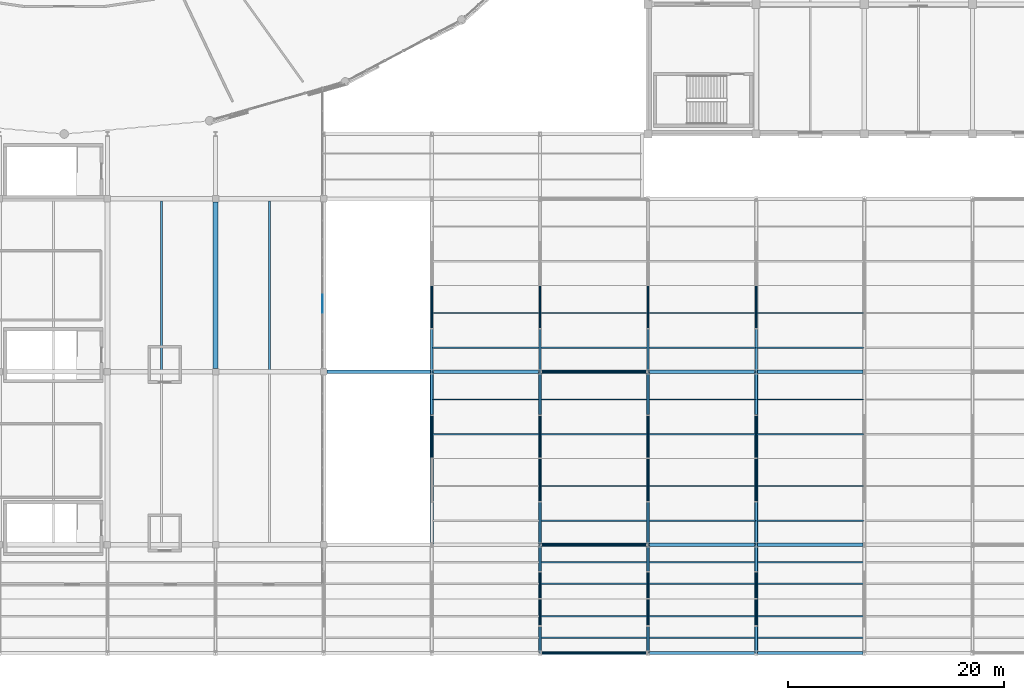
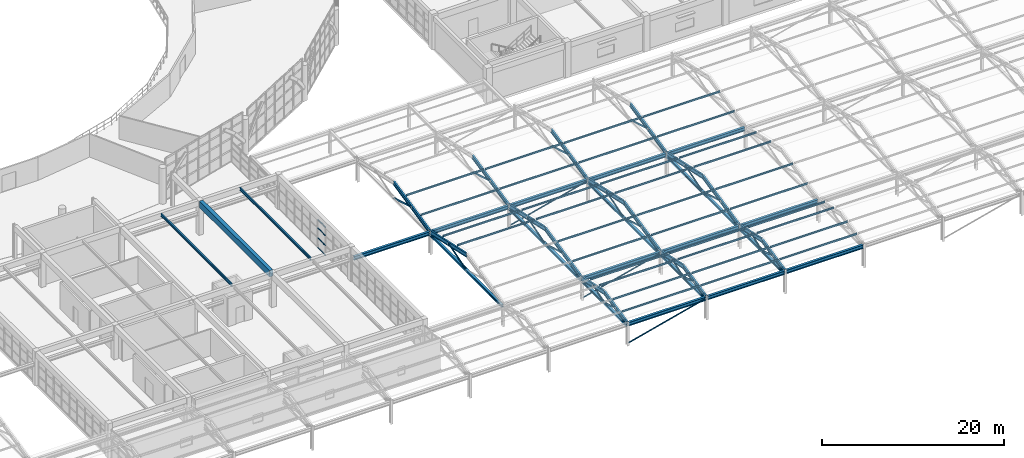
# One storey, part 27 of 109: 65 members, 31 beams, 1 element without a shape of its own.
"""IFC4 building model written with IfcOpenShell, lengths in metres."""

from ifc_helpers import new_model, si_unit, direction, frame, origin, origin_2d, place, context, subcontext, project, spatial, rectangle, hollow_rectangle, hollow_circle, i_section, extrude, material, layer, layer_set, material_profile, profile_set, type_object, element, aggregate, save


model = new_model("IFC4")

# Units and contexts
model_context = context("Model", 3, precision=1e-05, world=origin(), true_north=direction((0.0, 1.0)))
body_context = subcontext(model_context, "Body", "Model", "MODEL_VIEW")
ifc_project = project(units=[si_unit("LENGTHUNIT", "METRE"), si_unit("AREAUNIT", "SQUARE_METRE"), si_unit("VOLUMEUNIT", "CUBIC_METRE"), si_unit("PLANEANGLEUNIT", "RADIAN"), si_unit("MASSUNIT", "GRAM", prefix="KILO")], contexts=[model_context])

# Site, building, storey
site_placement = place(None, origin())
site = spatial("IfcSite", under=ifc_project, at=site_placement, CompositionType="ELEMENT")
building_placement = place(site_placement, origin())
building = spatial("IfcBuilding", under=site, at=building_placement, Name="Kivolera Central Railway Station", CompositionType="ELEMENT")
storey_placement = place(building_placement, frame((0.0, 0.0, 9.60009765625)))
storey = spatial("IfcBuildingStorey", under=building, at=storey_placement, Name="L02", CompositionType="ELEMENT", Elevation=9.60009765625)

# Beams
ifc_material_1 = material(Name="Steel S355", Category="steel")
ifc_material_profile_1 = material_profile(ifc_material_1, i_section(OverallWidth=0.169921875, OverallDepth=0.360107421875, WebThickness=0.008056640625, FlangeThickness=0.0126953125, FilletRadius=0.01806640625, at=origin_2d()), Name="IPE 360")
ifc_profile_set_1 = profile_set([ifc_material_profile_1], Name="Steel S355")
beam_type_1 = type_object("IfcBeamType", Name="BM-JST-IPE360", PredefinedType="JOIST", material=ifc_profile_set_1)
for number, where, z_axis, x_axis, name in (
    (1, (73.0, 32.19189453125, 4.407958984375), (0.0, 1.0, 0.0), (-1.0, 0.0, 0.0), "L02 Over-Track Bridge Joist 7:C-D"),
    (2, (83.0, 32.19189453125, 4.407958984375), (0.0, 1.0, 0.0), (-1.0, 0.0, 0.0), "L02 Over-Track Bridge Joist 8:C-D"),
):
    element("IfcBeam", number, at=place(storey_placement, frame(where, z_axis=z_axis, x_axis=x_axis)), inside=storey, type_object=beam_type_1, Name=name, PredefinedType="JOIST", context=body_context, shape_type="SweptSolid", body=[
        extrude(i_section(OverallWidth=0.169921875, OverallDepth=0.360107421875, WebThickness=0.008056640625, FlangeThickness=0.0126953125, FilletRadius=0.01806640625, at=origin_2d()), origin(), (0.0, 0.0, 1.0), 15.6162109375),
    ])
ifc_material_2 = material(Name="Concrete C40/50", Category="concrete")
ifc_material_profile_2 = material_profile(ifc_material_2, rectangle(XDim=0.449951171875, YDim=0.85009765625, at=origin_2d()), Name="RC 450x850")
ifc_profile_set_2 = profile_set([ifc_material_profile_2], Name="Concrete C40/50")
beam_type_2 = type_object("IfcBeamType", Name="BM-RC-450x850", PredefinedType="BEAM", material=ifc_profile_set_2)
beam_1_placement = place(storey_placement, frame((78.0, 32.287109375, 4.1748046875), z_axis=(0.0, 1.0, 0.0), x_axis=(-1.0, 0.0, 0.0)))
element("IfcBeam", 3, at=beam_1_placement, inside=storey, type_object=beam_type_2, Name="L02 Over-Track Concourse Bridge Girder 8:C-D", PredefinedType="BEAM", context=body_context, shape_type="SweptSolid", body=[
    extrude(rectangle(XDim=0.449951171875, YDim=0.85009765625, at=origin_2d()), origin(), (0.0, 0.0, 1.0), 15.42578125),
])
ifc_material_profile_3 = material_profile(ifc_material_1, i_section(OverallWidth=0.300048828125, OverallDepth=0.489990234375, WebThickness=0.011962890625, FlangeThickness=0.02294921875, FilletRadius=0.027099609375, at=origin_2d()), Name="HEA 500")
ifc_profile_set_3 = profile_set([ifc_material_profile_3], Name="Steel S355")
beam_type_3 = type_object("IfcBeamType", Name="BM-SHD-HEA500", PredefinedType="BEAM", material=ifc_profile_set_3)
beam_2_placement = place(storey_placement, frame((88.2919921875, 32.0, 2.81982421875), z_axis=(1.0, 0.0, 0.0), x_axis=(0.0, 1.0, 0.0)))
element("IfcBeam", 4, at=beam_2_placement, inside=storey, type_object=beam_type_3, Name="Train Shed Eave Girder C:9-10", PredefinedType="BEAM", context=body_context, shape_type="SweptSolid", body=[
    extrude(i_section(OverallWidth=0.300048828125, OverallDepth=0.489990234375, WebThickness=0.011962890625, FlangeThickness=0.02294921875, FilletRadius=0.027099609375, at=origin_2d()), origin(), (0.0, 0.0, 1.0), 9.571044921875),
])
for number, where, z_axis, x_axis, name in (
    (5, (98.136962890625, 32.0, 2.81982421875), (1.0, 0.0, 0.0), (0.0, 1.0, 0.0), "Train Shed Eave Girder C:10-11"),
    (6, (108.136962890625, 6.0, 2.81982421875), (1.0, 0.0, 0.0), (0.0, 1.0, 0.0), "Train Shed Eave Girder A:11-12"),
    (7, (108.136962890625, 16.0, 2.81982421875), (1.0, 0.0, 0.0), (0.0, 1.0, 0.0), "Train Shed Eave Girder B:11-12"),
    (8, (108.136962890625, 32.0, 2.81982421875), (1.0, 0.0, 0.0), (0.0, 1.0, 0.0), "Train Shed Eave Girder C:11-12"),
    (9, (118.136962890625, 6.0, 2.81982421875), (1.0, 0.0, 0.0), (0.0, 1.0, 0.0), "Train Shed Eave Girder A:12-13"),
    (10, (118.136962890625, 16.0, 2.81982421875), (1.0, 0.0, 0.0), (0.0, 1.0, 0.0), "Train Shed Eave Girder B:12-13"),
    (11, (118.136962890625, 32.0, 2.81982421875), (1.0, 0.0, 0.0), (0.0, 1.0, 0.0), "Train Shed Eave Girder C:12-13"),
    (12, (128.136962890625, 6.0, 2.81982421875), (1.0, 0.0, 0.0), (0.0, 1.0, 0.0), "Train Shed Eave Girder A:13-14"),
    (13, (128.136962890625, 16.0, 2.81982421875), (1.0, 0.0, 0.0), (0.0, 1.0, 0.0), "Train Shed Eave Girder B:13-14"),
    (14, (128.136962890625, 32.0, 2.81982421875), (1.0, 0.0, 0.0), (0.0, 1.0, 0.0), "Train Shed Eave Girder C:13-14"),
):
    element("IfcBeam", number, at=place(storey_placement, frame(where, z_axis=z_axis, x_axis=x_axis)), inside=storey, type_object=beam_type_3, Name=name, PredefinedType="BEAM", context=body_context, shape_type="SweptSolid", body=[
        extrude(i_section(OverallWidth=0.300048828125, OverallDepth=0.489990234375, WebThickness=0.011962890625, FlangeThickness=0.02294921875, FilletRadius=0.027099609375, at=origin_2d()), origin(), (0.0, 0.0, 1.0), 9.72607421875),
    ])
ifc_material_profile_4 = material_profile(ifc_material_1, i_section(OverallWidth=0.209228515625, OverallDepth=0.533203125, WebThickness=0.010009765625, FlangeThickness=0.015625, FilletRadius=0.0126953125, at=origin_2d()), Name="UB 533x210x92")
ifc_profile_set_4 = profile_set([ifc_material_profile_4], Name="Steel S355")
beam_type_4 = type_object("IfcBeamType", Name="BM-SHD-UB533", PredefinedType="BEAM", material=ifc_profile_set_4)
for number, where, z_axis, x_axis, name in (
    (15, (98.0, 24.0, 4.684814453125), (0.0, 0.97664421653, -0.214862919829), (-1.0, 0.0, 0.0), "Train Shed Roof Truss Top Rafter BC-10N"),
    (16, (98.0, 32.0, 2.9248046875), (0.0, 0.97664421653, 0.214862919829), (-1.0, 0.0, 0.0), "Train Shed Roof Truss Top Rafter CD-10S"),
):
    element("IfcBeam", number, at=place(storey_placement, frame(where, z_axis=z_axis, x_axis=x_axis)), inside=storey, type_object=beam_type_4, Name=name, PredefinedType="BEAM", context=body_context, shape_type="SweptSolid", body=[
        extrude(i_section(OverallWidth=0.209228515625, OverallDepth=0.533203125, WebThickness=0.010009765625, FlangeThickness=0.015625, FilletRadius=0.0126953125, at=origin_2d()), origin(), (0.0, 0.0, 1.0), 8.19140625),
    ])
for number, where, z_axis, x_axis, name in (
    (17, (108.0, 6.0, 2.9248046875), (0.0, 0.976640463768, 0.214879977038), (-1.0, 0.0, 0.0), "Train Shed Roof Truss Top Rafter AB-11S"),
    (18, (108.0, 11.0, 4.02490234375), (0.0, 0.976640463768, -0.214879977038), (-1.0, 0.0, 0.0), "Train Shed Roof Truss Top Rafter AB-11N"),
):
    element("IfcBeam", number, at=place(storey_placement, frame(where, z_axis=z_axis, x_axis=x_axis)), inside=storey, type_object=beam_type_4, Name=name, PredefinedType="BEAM", context=body_context, shape_type="SweptSolid", body=[
        extrude(i_section(OverallWidth=0.209228515625, OverallDepth=0.533203125, WebThickness=0.010009765625, FlangeThickness=0.015625, FilletRadius=0.0126953125, at=origin_2d()), origin(), (0.0, 0.0, 1.0), 5.11962890625),
    ])
for number, where, z_axis, x_axis, name in (
    (19, (108.0, 16.0, 2.9248046875), (0.0, 0.97664421653, 0.214862919829), (-1.0, 0.0, 0.0), "Train Shed Roof Truss Top Rafter BC-11S"),
    (20, (108.0, 24.0, 4.684814453125), (0.0, 0.97664421653, -0.214862919829), (-1.0, 0.0, 0.0), "Train Shed Roof Truss Top Rafter BC-11N"),
    (21, (108.0, 32.0, 2.9248046875), (0.0, 0.97664421653, 0.214862919829), (-1.0, 0.0, 0.0), "Train Shed Roof Truss Top Rafter CD-11S"),
):
    element("IfcBeam", number, at=place(storey_placement, frame(where, z_axis=z_axis, x_axis=x_axis)), inside=storey, type_object=beam_type_4, Name=name, PredefinedType="BEAM", context=body_context, shape_type="SweptSolid", body=[
        extrude(i_section(OverallWidth=0.209228515625, OverallDepth=0.533203125, WebThickness=0.010009765625, FlangeThickness=0.015625, FilletRadius=0.0126953125, at=origin_2d()), origin(), (0.0, 0.0, 1.0), 8.19140625),
    ])
for number, where, z_axis, x_axis, name in (
    (22, (118.0, 6.0, 2.9248046875), (0.0, 0.976640463768, 0.214879977038), (-1.0, 0.0, 0.0), "Train Shed Roof Truss Top Rafter AB-12S"),
    (23, (118.0, 11.0, 4.02490234375), (0.0, 0.976640463768, -0.214879977038), (-1.0, 0.0, 0.0), "Train Shed Roof Truss Top Rafter AB-12N"),
):
    element("IfcBeam", number, at=place(storey_placement, frame(where, z_axis=z_axis, x_axis=x_axis)), inside=storey, type_object=beam_type_4, Name=name, PredefinedType="BEAM", context=body_context, shape_type="SweptSolid", body=[
        extrude(i_section(OverallWidth=0.209228515625, OverallDepth=0.533203125, WebThickness=0.010009765625, FlangeThickness=0.015625, FilletRadius=0.0126953125, at=origin_2d()), origin(), (0.0, 0.0, 1.0), 5.11962890625),
    ])
for number, where, z_axis, x_axis, name in (
    (24, (118.0, 16.0, 2.9248046875), (0.0, 0.97664421653, 0.214862919829), (-1.0, 0.0, 0.0), "Train Shed Roof Truss Top Rafter BC-12S"),
    (25, (118.0, 24.0, 4.684814453125), (0.0, 0.97664421653, -0.214862919829), (-1.0, 0.0, 0.0), "Train Shed Roof Truss Top Rafter BC-12N"),
    (26, (118.0, 32.0, 2.9248046875), (0.0, 0.97664421653, 0.214862919829), (-1.0, 0.0, 0.0), "Train Shed Roof Truss Top Rafter CD-12S"),
):
    element("IfcBeam", number, at=place(storey_placement, frame(where, z_axis=z_axis, x_axis=x_axis)), inside=storey, type_object=beam_type_4, Name=name, PredefinedType="BEAM", context=body_context, shape_type="SweptSolid", body=[
        extrude(i_section(OverallWidth=0.209228515625, OverallDepth=0.533203125, WebThickness=0.010009765625, FlangeThickness=0.015625, FilletRadius=0.0126953125, at=origin_2d()), origin(), (0.0, 0.0, 1.0), 8.19140625),
    ])
for number, where, z_axis, x_axis, name in (
    (27, (128.0, 6.0, 2.9248046875), (0.0, 0.976640463768, 0.214879977038), (-1.0, 0.0, 0.0), "Train Shed Roof Truss Top Rafter AB-13S"),
    (28, (128.0, 11.0, 4.02490234375), (0.0, 0.976640463768, -0.214879977038), (-1.0, 0.0, 0.0), "Train Shed Roof Truss Top Rafter AB-13N"),
):
    element("IfcBeam", number, at=place(storey_placement, frame(where, z_axis=z_axis, x_axis=x_axis)), inside=storey, type_object=beam_type_4, Name=name, PredefinedType="BEAM", context=body_context, shape_type="SweptSolid", body=[
        extrude(i_section(OverallWidth=0.209228515625, OverallDepth=0.533203125, WebThickness=0.010009765625, FlangeThickness=0.015625, FilletRadius=0.0126953125, at=origin_2d()), origin(), (0.0, 0.0, 1.0), 5.11962890625),
    ])
for number, where, z_axis, x_axis, name in (
    (29, (128.0, 16.0, 2.9248046875), (0.0, 0.97664421653, 0.214862919829), (-1.0, 0.0, 0.0), "Train Shed Roof Truss Top Rafter BC-13S"),
    (30, (128.0, 24.0, 4.684814453125), (0.0, 0.97664421653, -0.214862919829), (-1.0, 0.0, 0.0), "Train Shed Roof Truss Top Rafter BC-13N"),
    (31, (128.0, 32.0, 2.9248046875), (0.0, 0.97664421653, 0.214862919829), (-1.0, 0.0, 0.0), "Train Shed Roof Truss Top Rafter CD-13S"),
):
    element("IfcBeam", number, at=place(storey_placement, frame(where, z_axis=z_axis, x_axis=x_axis)), inside=storey, type_object=beam_type_4, Name=name, PredefinedType="BEAM", context=body_context, shape_type="SweptSolid", body=[
        extrude(i_section(OverallWidth=0.209228515625, OverallDepth=0.533203125, WebThickness=0.010009765625, FlangeThickness=0.015625, FilletRadius=0.0126953125, at=origin_2d()), origin(), (0.0, 0.0, 1.0), 8.19140625),
    ])

# Curtain wall, members
ifc_material_3 = material(Name="Anodised aluminium", Category="aluminium")
ifc_layer = layer(ifc_material_3, 0.179931640625, Name="Anodised aluminium")
ifc_layer_set = layer_set([ifc_layer], Name="Anodised aluminium")
curtain_wall_type = type_object("IfcCurtainWallType", Name="CW-SYS-18", PredefinedType="NOTDEFINED", material=ifc_layer_set)
curtain_wall_placement = place(storey_placement, origin())
curtain_wall = element("IfcCurtainWall", 32, at=curtain_wall_placement, inside=storey, type_object=curtain_wall_type, Name="L02 Curtain Wall CW-L02-BRGE-3", PredefinedType="NOTDEFINED")
ifc_material_profile_5 = material_profile(ifc_material_3, rectangle(XDim=0.06005859375, YDim=0.1201171875, at=origin_2d()), Name="ALU TRAN 60x120")
ifc_profile_set_5 = profile_set([ifc_material_profile_5], Name="Anodised aluminium")
member_type_1 = type_object("IfcMemberType", Name="CWM-TRN-2", PredefinedType="USERDEFINED", material=ifc_profile_set_5)
member_1_placement = place(storey_placement, frame((87.8798828125, 39.115478515625, 0.02978515625), z_axis=(0.0, -1.0, 0.0), x_axis=(1.0, 0.0, 0.0)))
member_1 = element("IfcMember", 33, at=member_1_placement, type_object=member_type_1, Name="CW-18 transom 6.1", ObjectType="TRANSOM", PredefinedType="USERDEFINED", context=body_context, shape_type="SweptSolid", body=[
    extrude(rectangle(XDim=0.06005859375, YDim=0.1201171875, at=origin_2d()), origin(), (0.0, 0.0, 1.0), 1.64892578125),
])
member_2_placement = place(storey_placement, frame((87.8798828125, 39.115478515625, 1.329833984375), z_axis=(0.0, -1.0, 0.0), x_axis=(1.0, 0.0, 0.0)))
member_2 = element("IfcMember", 34, at=member_2_placement, type_object=member_type_1, Name="CW-18 transom 6.2", ObjectType="TRANSOM", PredefinedType="USERDEFINED", context=body_context, shape_type="SweptSolid", body=[
    extrude(rectangle(XDim=0.06005859375, YDim=0.1201171875, at=origin_2d()), origin(), (0.0, 0.0, 1.0), 1.64892578125),
])
member_3_placement = place(storey_placement, frame((87.8798828125, 39.115478515625, 2.659912109375), z_axis=(0.0, -1.0, 0.0), x_axis=(1.0, 0.0, 0.0)))
member_3 = element("IfcMember", 35, at=member_3_placement, type_object=member_type_1, Name="CW-18 transom 6.3", ObjectType="TRANSOM", PredefinedType="USERDEFINED", context=body_context, shape_type="SweptSolid", body=[
    extrude(rectangle(XDim=0.06005859375, YDim=0.1201171875, at=origin_2d()), origin(), (0.0, 0.0, 1.0), 1.64892578125),
])
member_4_placement = place(storey_placement, frame((87.8798828125, 39.115478515625, 3.77001953125), z_axis=(0.0, -1.0, 0.0), x_axis=(1.0, 0.0, 0.0)))
member_4 = element("IfcMember", 36, at=member_4_placement, type_object=member_type_1, Name="CW-18 transom 6.4", ObjectType="TRANSOM", PredefinedType="USERDEFINED", context=body_context, shape_type="SweptSolid", body=[
    extrude(rectangle(XDim=0.06005859375, YDim=0.1201171875, at=origin_2d()), origin(), (0.0, 0.0, 1.0), 1.64892578125),
])
aggregate(curtain_wall, [member_1, member_2, member_3, member_4])

# Members
ifc_material_profile_6 = material_profile(ifc_material_1, hollow_circle(Radius=0.084228515625, WallThickness=0.008056640625, at=origin_2d()), Name="CHS 168.3x8")
ifc_profile_set_6 = profile_set([ifc_material_profile_6], Name="Steel S355")
member_type_2 = type_object("IfcMemberType", Name="MEM-BRC-CHS168", PredefinedType="BRACE", material=ifc_profile_set_6)
for number, where, z_axis, x_axis, name in (
    (37, (108.126953125, 6.0, 0.25), (0.96863991136, 0.0, 0.248468754818), (0.0, 1.0, 0.0), "Train Shed Longitudinal Portal Brace A:11-12"),
    (38, (108.126953125, 16.0, 0.25), (0.96863991136, 0.0, 0.248468754818), (0.0, 1.0, 0.0), "Train Shed Longitudinal Portal Brace B:11-12"),
    (39, (108.126953125, 32.0, 0.25), (0.96863991136, 0.0, 0.248468754818), (0.0, 1.0, 0.0), "Train Shed Longitudinal Portal Brace C:11-12"),
):
    element("IfcMember", number, at=place(storey_placement, frame(where, z_axis=z_axis, x_axis=x_axis)), inside=storey, type_object=member_type_2, Name=name, PredefinedType="BRACE", context=body_context, shape_type="SweptSolid", body=[
        extrude(hollow_circle(Radius=0.084228515625, WallThickness=0.008056640625, at=origin_2d()), origin(), (0.0, 0.0, 1.0), 10.0615234375),
    ])
ifc_material_profile_7 = material_profile(ifc_material_1, i_section(OverallWidth=0.300048828125, OverallDepth=0.300048828125, WebThickness=0.010986328125, FlangeThickness=0.01904296875, FilletRadius=0.027099609375, at=origin_2d()), Name="HEB 300")
ifc_profile_set_7 = profile_set([ifc_material_profile_7], Name="Steel S355")
member_type_3 = type_object("IfcMemberType", Name="MEM-CHD-HEB300", PredefinedType="CHORD", material=ifc_profile_set_7)
member_5_placement = place(storey_placement, frame((98.0, 16.080078125, 2.619873046875), z_axis=(0.0, 1.0, 0.0), x_axis=(-1.0, 0.0, 0.0)))
element("IfcMember", 40, at=member_5_placement, inside=storey, type_object=member_type_3, Name="Train Shed Roof Truss Bottom Tie Chord BC-10", PredefinedType="CHORD", context=body_context, shape_type="SweptSolid", body=[
    extrude(i_section(OverallWidth=0.300048828125, OverallDepth=0.300048828125, WebThickness=0.010986328125, FlangeThickness=0.01904296875, FilletRadius=0.027099609375, at=origin_2d()), origin(), (0.0, 0.0, 1.0), 15.83984375),
])
member_6_placement = place(storey_placement, frame((108.0, 6.080078125, 2.619873046875), z_axis=(0.0, 1.0, 0.0), x_axis=(-1.0, 0.0, 0.0)))
element("IfcMember", 41, at=member_6_placement, inside=storey, type_object=member_type_3, Name="Train Shed Roof Truss Bottom Tie Chord AB-11", PredefinedType="CHORD", context=body_context, shape_type="SweptSolid", body=[
    extrude(i_section(OverallWidth=0.300048828125, OverallDepth=0.300048828125, WebThickness=0.010986328125, FlangeThickness=0.01904296875, FilletRadius=0.027099609375, at=origin_2d()), origin(), (0.0, 0.0, 1.0), 9.83984375),
])
member_7_placement = place(storey_placement, frame((108.0, 16.080078125, 2.619873046875), z_axis=(0.0, 1.0, 0.0), x_axis=(-1.0, 0.0, 0.0)))
element("IfcMember", 42, at=member_7_placement, inside=storey, type_object=member_type_3, Name="Train Shed Roof Truss Bottom Tie Chord BC-11", PredefinedType="CHORD", context=body_context, shape_type="SweptSolid", body=[
    extrude(i_section(OverallWidth=0.300048828125, OverallDepth=0.300048828125, WebThickness=0.010986328125, FlangeThickness=0.01904296875, FilletRadius=0.027099609375, at=origin_2d()), origin(), (0.0, 0.0, 1.0), 15.83984375),
])
member_8_placement = place(storey_placement, frame((118.0, 6.080078125, 2.619873046875), z_axis=(0.0, 1.0, 0.0), x_axis=(-1.0, 0.0, 0.0)))
element("IfcMember", 43, at=member_8_placement, inside=storey, type_object=member_type_3, Name="Train Shed Roof Truss Bottom Tie Chord AB-12", PredefinedType="CHORD", context=body_context, shape_type="SweptSolid", body=[
    extrude(i_section(OverallWidth=0.300048828125, OverallDepth=0.300048828125, WebThickness=0.010986328125, FlangeThickness=0.01904296875, FilletRadius=0.027099609375, at=origin_2d()), origin(), (0.0, 0.0, 1.0), 9.83984375),
])
member_9_placement = place(storey_placement, frame((118.0, 16.080078125, 2.619873046875), z_axis=(0.0, 1.0, 0.0), x_axis=(-1.0, 0.0, 0.0)))
element("IfcMember", 44, at=member_9_placement, inside=storey, type_object=member_type_3, Name="Train Shed Roof Truss Bottom Tie Chord BC-12", PredefinedType="CHORD", context=body_context, shape_type="SweptSolid", body=[
    extrude(i_section(OverallWidth=0.300048828125, OverallDepth=0.300048828125, WebThickness=0.010986328125, FlangeThickness=0.01904296875, FilletRadius=0.027099609375, at=origin_2d()), origin(), (0.0, 0.0, 1.0), 15.83984375),
])
member_10_placement = place(storey_placement, frame((128.0, 6.080078125, 2.619873046875), z_axis=(0.0, 1.0, 0.0), x_axis=(-1.0, 0.0, 0.0)))
element("IfcMember", 45, at=member_10_placement, inside=storey, type_object=member_type_3, Name="Train Shed Roof Truss Bottom Tie Chord AB-13", PredefinedType="CHORD", context=body_context, shape_type="SweptSolid", body=[
    extrude(i_section(OverallWidth=0.300048828125, OverallDepth=0.300048828125, WebThickness=0.010986328125, FlangeThickness=0.01904296875, FilletRadius=0.027099609375, at=origin_2d()), origin(), (0.0, 0.0, 1.0), 9.83984375),
])
member_11_placement = place(storey_placement, frame((128.0, 16.080078125, 2.619873046875), z_axis=(0.0, 1.0, 0.0), x_axis=(-1.0, 0.0, 0.0)))
element("IfcMember", 46, at=member_11_placement, inside=storey, type_object=member_type_3, Name="Train Shed Roof Truss Bottom Tie Chord BC-13", PredefinedType="CHORD", context=body_context, shape_type="SweptSolid", body=[
    extrude(i_section(OverallWidth=0.300048828125, OverallDepth=0.300048828125, WebThickness=0.010986328125, FlangeThickness=0.01904296875, FilletRadius=0.027099609375, at=origin_2d()), origin(), (0.0, 0.0, 1.0), 15.83984375),
])
ifc_material_profile_8 = material_profile(ifc_material_1, i_section(OverallWidth=0.1201171875, OverallDepth=0.239990234375, WebThickness=0.006103515625, FlangeThickness=0.009765625, FilletRadius=0.014892578125, at=origin_2d()), Name="IPE 240")
ifc_profile_set_8 = profile_set([ifc_material_profile_8], Name="Steel S355")
member_type_4 = type_object("IfcMemberType", Name="MEM-PUR-IPE240", PredefinedType="PURLIN", material=ifc_profile_set_8)
for number, where, z_axis, x_axis, name in (
    (47, (98.080078125, 26.239990234375, 4.572021484375), (1.0, 0.0, 0.0), (0.0, 1.0, 0.0), "Train Shed Roof Purlin BC-10-N1"),
    (48, (98.080078125, 29.43994140625, 3.867919921875), (1.0, 0.0, 0.0), (0.0, 1.0, 0.0), "Train Shed Roof Purlin BC-10-N2"),
    (49, (98.080078125, 34.239990234375, 3.7978515625), (1.0, 0.0, 0.0), (0.0, 1.0, 0.0), "Train Shed Roof Purlin CD-10-S1"),
    (50, (98.080078125, 37.43994140625, 4.501953125), (1.0, 0.0, 0.0), (0.0, 1.0, 0.0), "Train Shed Roof Purlin CD-10-S2"),
    (51, (108.080078125, 7.39990234375, 3.61279296875), (1.0, 0.0, 0.0), (0.0, 1.0, 0.0), "Train Shed Roof Purlin AB-11-S1"),
    (52, (108.080078125, 12.39990234375, 4.096923828125), (1.0, 0.0, 0.0), (0.0, 1.0, 0.0), "Train Shed Roof Purlin AB-11-N1"),
    (53, (108.080078125, 9.39990234375, 4.052978515625), (1.0, 0.0, 0.0), (0.0, 1.0, 0.0), "Train Shed Roof Purlin AB-11-S2"),
    (54, (108.080078125, 14.39990234375, 3.656982421875), (1.0, 0.0, 0.0), (0.0, 1.0, 0.0), "Train Shed Roof Purlin AB-11-N2"),
    (55, (108.080078125, 18.239990234375, 3.7978515625), (1.0, 0.0, 0.0), (0.0, 1.0, 0.0), "Train Shed Roof Purlin BC-11-S1"),
    (56, (108.080078125, 26.239990234375, 4.572021484375), (1.0, 0.0, 0.0), (0.0, 1.0, 0.0), "Train Shed Roof Purlin BC-11-N1"),
    (57, (108.080078125, 21.43994140625, 4.501953125), (1.0, 0.0, 0.0), (0.0, 1.0, 0.0), "Train Shed Roof Purlin BC-11-S2"),
    (58, (108.080078125, 29.43994140625, 3.867919921875), (1.0, 0.0, 0.0), (0.0, 1.0, 0.0), "Train Shed Roof Purlin BC-11-N2"),
    (59, (108.080078125, 34.239990234375, 3.7978515625), (1.0, 0.0, 0.0), (0.0, 1.0, 0.0), "Train Shed Roof Purlin CD-11-S1"),
    (60, (108.080078125, 37.43994140625, 4.501953125), (1.0, 0.0, 0.0), (0.0, 1.0, 0.0), "Train Shed Roof Purlin CD-11-S2"),
    (61, (118.080078125, 7.39990234375, 3.61279296875), (1.0, 0.0, 0.0), (0.0, 1.0, 0.0), "Train Shed Roof Purlin AB-12-S1"),
    (62, (118.080078125, 12.39990234375, 4.096923828125), (1.0, 0.0, 0.0), (0.0, 1.0, 0.0), "Train Shed Roof Purlin AB-12-N1"),
    (63, (118.080078125, 9.39990234375, 4.052978515625), (1.0, 0.0, 0.0), (0.0, 1.0, 0.0), "Train Shed Roof Purlin AB-12-S2"),
    (64, (118.080078125, 14.39990234375, 3.656982421875), (1.0, 0.0, 0.0), (0.0, 1.0, 0.0), "Train Shed Roof Purlin AB-12-N2"),
    (65, (118.080078125, 18.239990234375, 3.7978515625), (1.0, 0.0, 0.0), (0.0, 1.0, 0.0), "Train Shed Roof Purlin BC-12-S1"),
    (66, (118.080078125, 26.239990234375, 4.572021484375), (1.0, 0.0, 0.0), (0.0, 1.0, 0.0), "Train Shed Roof Purlin BC-12-N1"),
    (67, (118.080078125, 21.43994140625, 4.501953125), (1.0, 0.0, 0.0), (0.0, 1.0, 0.0), "Train Shed Roof Purlin BC-12-S2"),
    (68, (118.080078125, 29.43994140625, 3.867919921875), (1.0, 0.0, 0.0), (0.0, 1.0, 0.0), "Train Shed Roof Purlin BC-12-N2"),
    (69, (118.080078125, 34.239990234375, 3.7978515625), (1.0, 0.0, 0.0), (0.0, 1.0, 0.0), "Train Shed Roof Purlin CD-12-S1"),
    (70, (118.080078125, 37.43994140625, 4.501953125), (1.0, 0.0, 0.0), (0.0, 1.0, 0.0), "Train Shed Roof Purlin CD-12-S2"),
    (71, (128.080078125, 7.39990234375, 3.61279296875), (1.0, 0.0, 0.0), (0.0, 1.0, 0.0), "Train Shed Roof Purlin AB-13-S1"),
    (72, (128.080078125, 12.39990234375, 4.096923828125), (1.0, 0.0, 0.0), (0.0, 1.0, 0.0), "Train Shed Roof Purlin AB-13-N1"),
    (73, (128.080078125, 9.39990234375, 4.052978515625), (1.0, 0.0, 0.0), (0.0, 1.0, 0.0), "Train Shed Roof Purlin AB-13-S2"),
    (74, (128.080078125, 14.39990234375, 3.656982421875), (1.0, 0.0, 0.0), (0.0, 1.0, 0.0), "Train Shed Roof Purlin AB-13-N2"),
    (75, (128.080078125, 18.239990234375, 3.7978515625), (1.0, 0.0, 0.0), (0.0, 1.0, 0.0), "Train Shed Roof Purlin BC-13-S1"),
    (76, (128.080078125, 26.239990234375, 4.572021484375), (1.0, 0.0, 0.0), (0.0, 1.0, 0.0), "Train Shed Roof Purlin BC-13-N1"),
    (77, (128.080078125, 21.43994140625, 4.501953125), (1.0, 0.0, 0.0), (0.0, 1.0, 0.0), "Train Shed Roof Purlin BC-13-S2"),
    (78, (128.080078125, 29.43994140625, 3.867919921875), (1.0, 0.0, 0.0), (0.0, 1.0, 0.0), "Train Shed Roof Purlin BC-13-N2"),
    (79, (128.080078125, 34.239990234375, 3.7978515625), (1.0, 0.0, 0.0), (0.0, 1.0, 0.0), "Train Shed Roof Purlin CD-13-S1"),
    (80, (128.080078125, 37.43994140625, 4.501953125), (1.0, 0.0, 0.0), (0.0, 1.0, 0.0), "Train Shed Roof Purlin CD-13-S2"),
):
    element("IfcMember", number, at=place(storey_placement, frame(where, z_axis=z_axis, x_axis=x_axis)), inside=storey, type_object=member_type_4, Name=name, PredefinedType="PURLIN", context=body_context, shape_type="SweptSolid", body=[
        extrude(i_section(OverallWidth=0.1201171875, OverallDepth=0.239990234375, WebThickness=0.006103515625, FlangeThickness=0.009765625, FilletRadius=0.014892578125, at=origin_2d()), origin(), (0.0, 0.0, 1.0), 9.83984375),
    ])
ifc_material_profile_9 = material_profile(ifc_material_1, hollow_rectangle(XDim=0.10009765625, YDim=0.199951171875, WallThickness=0.010009765625, at=origin_2d()), Name="RHS 200x100x10")
ifc_profile_set_9 = profile_set([ifc_material_profile_9], Name="Steel S355")
member_type_5 = type_object("IfcMemberType", Name="MEM-STR-RHS200", PredefinedType="STRUT", material=ifc_profile_set_9)
for number, where, z_axis, x_axis, name in (
    (81, (98.0, 24.0, 2.619873046875), (0.0, 0.958806377549, 0.284060434364), (-1.0, 0.0, 0.0), "Train Shed Truss Web Strut BC-10-2"),
    (82, (98.0, 40.0, 2.619873046875), (0.0, -0.958806377549, 0.284060434364), (1.0, 0.0, 0.0), "Train Shed Truss Web Strut CD-10-1"),
):
    element("IfcMember", number, at=place(storey_placement, frame(where, z_axis=z_axis, x_axis=x_axis)), inside=storey, type_object=member_type_5, Name=name, PredefinedType="STRUT", context=body_context, shape_type="SweptSolid", body=[
        extrude(hollow_rectangle(XDim=0.10009765625, YDim=0.199951171875, WallThickness=0.010009765625, at=origin_2d()), origin(), (0.0, 0.0, 1.0), 4.171875),
    ])
for number, where, z_axis, x_axis, name in (
    (83, (108.0, 11.0, 2.619873046875), (0.0, -0.946196747594, 0.323591895515), (1.0, 0.0, 0.0), "Train Shed Truss Web Strut AB-11-1"),
    (84, (108.0, 11.0, 2.619873046875), (0.0, 0.946196747594, 0.323591895515), (-1.0, 0.0, 0.0), "Train Shed Truss Web Strut AB-11-2"),
):
    element("IfcMember", number, at=place(storey_placement, frame(where, z_axis=z_axis, x_axis=x_axis)), inside=storey, type_object=member_type_5, Name=name, PredefinedType="STRUT", context=body_context, shape_type="SweptSolid", body=[
        extrude(hollow_rectangle(XDim=0.10009765625, YDim=0.199951171875, WallThickness=0.010009765625, at=origin_2d()), origin(), (0.0, 0.0, 1.0), 2.64208984375),
    ])
for number, where, z_axis, x_axis, name in (
    (85, (108.0, 24.0, 2.619873046875), (0.0, -0.958806377549, 0.284060434364), (1.0, 0.0, 0.0), "Train Shed Truss Web Strut BC-11-1"),
    (86, (108.0, 24.0, 2.619873046875), (0.0, 0.958806377549, 0.284060434364), (-1.0, 0.0, 0.0), "Train Shed Truss Web Strut BC-11-2"),
    (87, (108.0, 40.0, 2.619873046875), (0.0, -0.958806377549, 0.284060434364), (1.0, 0.0, 0.0), "Train Shed Truss Web Strut CD-11-1"),
):
    element("IfcMember", number, at=place(storey_placement, frame(where, z_axis=z_axis, x_axis=x_axis)), inside=storey, type_object=member_type_5, Name=name, PredefinedType="STRUT", context=body_context, shape_type="SweptSolid", body=[
        extrude(hollow_rectangle(XDim=0.10009765625, YDim=0.199951171875, WallThickness=0.010009765625, at=origin_2d()), origin(), (0.0, 0.0, 1.0), 4.171875),
    ])
for number, where, z_axis, x_axis, name in (
    (88, (118.0, 11.0, 2.619873046875), (0.0, -0.946196747594, 0.323591895515), (1.0, 0.0, 0.0), "Train Shed Truss Web Strut AB-12-1"),
    (89, (118.0, 11.0, 2.619873046875), (0.0, 0.946196747594, 0.323591895515), (-1.0, 0.0, 0.0), "Train Shed Truss Web Strut AB-12-2"),
):
    element("IfcMember", number, at=place(storey_placement, frame(where, z_axis=z_axis, x_axis=x_axis)), inside=storey, type_object=member_type_5, Name=name, PredefinedType="STRUT", context=body_context, shape_type="SweptSolid", body=[
        extrude(hollow_rectangle(XDim=0.10009765625, YDim=0.199951171875, WallThickness=0.010009765625, at=origin_2d()), origin(), (0.0, 0.0, 1.0), 2.64208984375),
    ])
for number, where, z_axis, x_axis, name in (
    (90, (118.0, 24.0, 2.619873046875), (0.0, -0.958806377549, 0.284060434364), (1.0, 0.0, 0.0), "Train Shed Truss Web Strut BC-12-1"),
    (91, (118.0, 24.0, 2.619873046875), (0.0, 0.958806377549, 0.284060434364), (-1.0, 0.0, 0.0), "Train Shed Truss Web Strut BC-12-2"),
    (92, (118.0, 40.0, 2.619873046875), (0.0, -0.958806377549, 0.284060434364), (1.0, 0.0, 0.0), "Train Shed Truss Web Strut CD-12-1"),
):
    element("IfcMember", number, at=place(storey_placement, frame(where, z_axis=z_axis, x_axis=x_axis)), inside=storey, type_object=member_type_5, Name=name, PredefinedType="STRUT", context=body_context, shape_type="SweptSolid", body=[
        extrude(hollow_rectangle(XDim=0.10009765625, YDim=0.199951171875, WallThickness=0.010009765625, at=origin_2d()), origin(), (0.0, 0.0, 1.0), 4.171875),
    ])
for number, where, z_axis, x_axis, name in (
    (93, (128.0, 11.0, 2.619873046875), (0.0, -0.946196747594, 0.323591895515), (1.0, 0.0, 0.0), "Train Shed Truss Web Strut AB-13-1"),
    (94, (128.0, 11.0, 2.619873046875), (0.0, 0.946196747594, 0.323591895515), (-1.0, 0.0, 0.0), "Train Shed Truss Web Strut AB-13-2"),
):
    element("IfcMember", number, at=place(storey_placement, frame(where, z_axis=z_axis, x_axis=x_axis)), inside=storey, type_object=member_type_5, Name=name, PredefinedType="STRUT", context=body_context, shape_type="SweptSolid", body=[
        extrude(hollow_rectangle(XDim=0.10009765625, YDim=0.199951171875, WallThickness=0.010009765625, at=origin_2d()), origin(), (0.0, 0.0, 1.0), 2.64208984375),
    ])
for number, where, z_axis, x_axis, name in (
    (95, (128.0, 24.0, 2.619873046875), (0.0, -0.958806377549, 0.284060434364), (1.0, 0.0, 0.0), "Train Shed Truss Web Strut BC-13-1"),
    (96, (128.0, 24.0, 2.619873046875), (0.0, 0.958806377549, 0.284060434364), (-1.0, 0.0, 0.0), "Train Shed Truss Web Strut BC-13-2"),
    (97, (128.0, 40.0, 2.619873046875), (0.0, -0.958806377549, 0.284060434364), (1.0, 0.0, 0.0), "Train Shed Truss Web Strut CD-13-1"),
):
    element("IfcMember", number, at=place(storey_placement, frame(where, z_axis=z_axis, x_axis=x_axis)), inside=storey, type_object=member_type_5, Name=name, PredefinedType="STRUT", context=body_context, shape_type="SweptSolid", body=[
        extrude(hollow_rectangle(XDim=0.10009765625, YDim=0.199951171875, WallThickness=0.010009765625, at=origin_2d()), origin(), (0.0, 0.0, 1.0), 4.171875),
    ])

save(model, "model.ifc")
